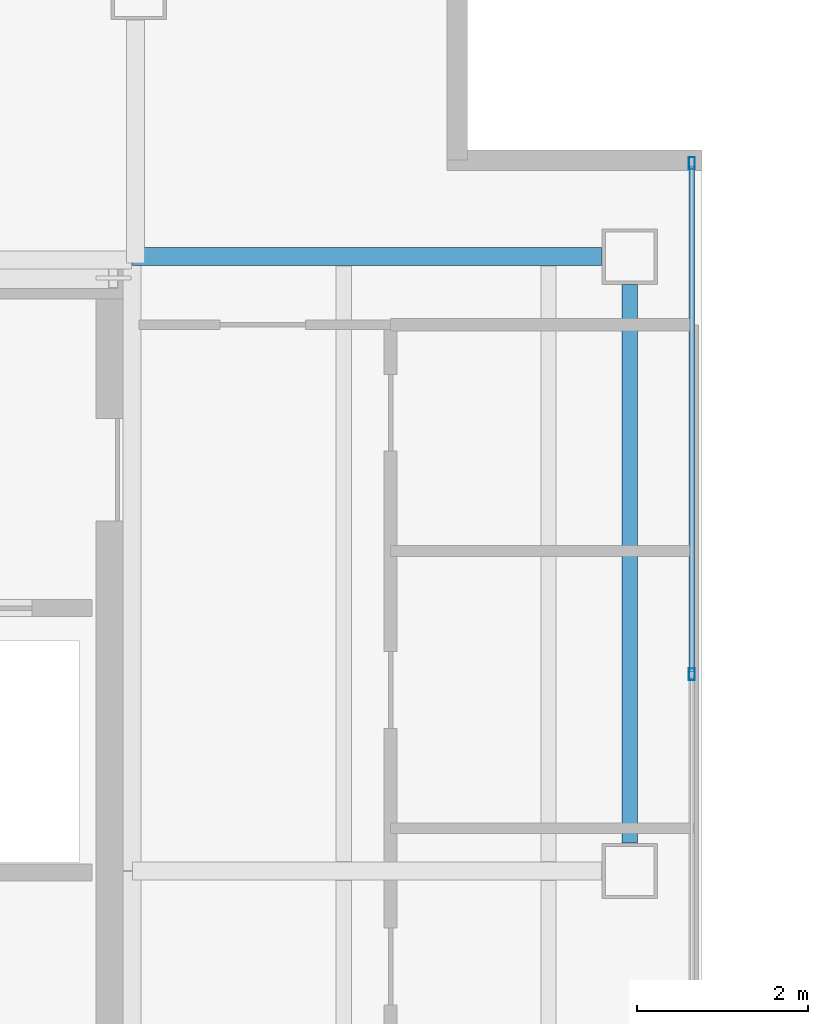
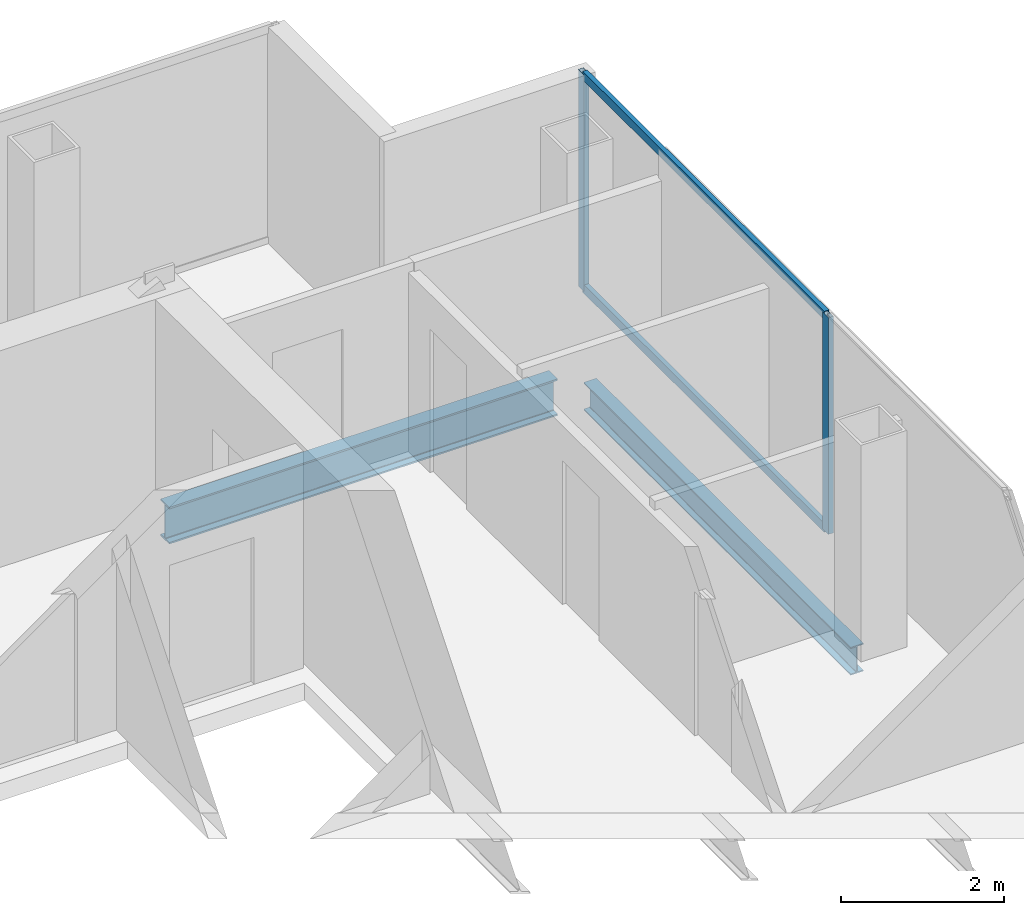
# One storey, part 11 of 24: 4 members, 2 beams, 1 element without a shape of its own.
"""IFC4 building model written with IfcOpenShell, lengths in metres."""

from ifc_helpers import new_model, si_unit, direction, frame, origin, origin_2d, place, context, subcontext, project, spatial, hollow_rectangle, i_section, extrude, material, material_profile, profile_set, type_object, element, aggregate, save


model = new_model("IFC4")

# Units and contexts
model_context = context("Model", 3, precision=1e-05, world=origin(), true_north=direction((0.0, 1.0)))
body_context = subcontext(model_context, "Body", "Model", "MODEL_VIEW")
ifc_project = project(units=[si_unit("LENGTHUNIT", "METRE"), si_unit("AREAUNIT", "SQUARE_METRE"), si_unit("VOLUMEUNIT", "CUBIC_METRE"), si_unit("PLANEANGLEUNIT", "RADIAN"), si_unit("MASSUNIT", "GRAM", prefix="KILO")], contexts=[model_context])

# Site, building, storey
site_placement = place(None, origin())
site = spatial("IfcSite", under=ifc_project, at=site_placement, CompositionType="ELEMENT")
building_placement = place(site_placement, origin())
building = spatial("IfcBuilding", under=site, at=building_placement, Name="Cobrela Telecom Tower", CompositionType="ELEMENT")
storey_placement = place(building_placement, frame((0.0, 0.0, 244.64990234375)))
storey = spatial("IfcBuildingStorey", under=building, at=storey_placement, Name="L63", CompositionType="ELEMENT", Elevation=244.64990234375)

# Beams
ifc_material_1 = material(Name="Steel ASTM A992 Grade 50", Category="steel")
ifc_material_profile_1 = material_profile(ifc_material_1, i_section(OverallWidth=0.212890625, OverallDepth=0.549072265625, WebThickness=0.0146484375, FlangeThickness=0.023681640625, FilletRadius=0.013916015625, at=origin_2d()), Name="W21X93")
ifc_profile_set_1 = profile_set([ifc_material_profile_1], Name="Steel ASTM A992 Grade 50")
beam_type_1 = type_object("IfcBeamType", Name="BM-GIRD-08", PredefinedType="USERDEFINED", material=ifc_profile_set_1)
beam_1_placement = place(storey_placement, frame((14.324951171875, 36.0, -0.534423828125), z_axis=(1.0, 0.0, 0.0), x_axis=(0.0, 1.0, 0.0)))
element("IfcBeam", 1, at=beam_1_placement, inside=storey, type_object=beam_type_1, Name="L63 Primary Girder X18", ObjectType="GIRDER", PredefinedType="USERDEFINED", context=body_context, shape_type="SweptSolid", body=[
    extrude(i_section(OverallWidth=0.212890625, OverallDepth=0.549072265625, WebThickness=0.0146484375, FlangeThickness=0.023681640625, FilletRadius=0.013916015625, at=origin_2d()), origin(), (0.0, 0.0, 1.0), 5.4951171875),
])
ifc_material_profile_2 = material_profile(ifc_material_1, i_section(OverallWidth=0.179931640625, OverallDepth=0.4169921875, WebThickness=0.010986328125, FlangeThickness=0.01806640625, FilletRadius=0.011962890625, at=origin_2d()), Name="W16X57")
ifc_profile_set_2 = profile_set([ifc_material_profile_2], Name="Steel ASTM A992 Grade 50")
beam_type_2 = type_object("IfcBeamType", Name="BM-SPAND-06", PredefinedType="SPANDREL", material=ifc_profile_set_2)
beam_2_placement = place(storey_placement, frame((20.14990234375, 29.1298828125, -0.468505859375), z_axis=(0.0, 1.0, 0.0), x_axis=(-1.0, 0.0, 0.0)))
element("IfcBeam", 2, at=beam_2_placement, inside=storey, type_object=beam_type_2, Name="L63 Perimeter Spandrel Y26", PredefinedType="SPANDREL", context=body_context, shape_type="SweptSolid", body=[
    extrude(i_section(OverallWidth=0.179931640625, OverallDepth=0.4169921875, WebThickness=0.010986328125, FlangeThickness=0.01806640625, FilletRadius=0.011962890625, at=origin_2d()), origin(), (0.0, 0.0, 1.0), 6.5400390625),
])

# Curtain wall, members
ifc_material_2 = material(Name="Anodized Bronze Aluminium 6063-T6", Category="aluminium")
curtain_wall_type = type_object("IfcCurtainWallType", Name="CW-SYS-OFF-HI", PredefinedType="USERDEFINED", material=ifc_material_2)
curtain_wall_placement = place(storey_placement, origin())
curtain_wall = element("IfcCurtainWall", 3, at=curtain_wall_placement, inside=storey, type_object=curtain_wall_type, Name="L63 Unitised Bronze Curtain Wall 08", ObjectType="UNITISED CURTAIN WALL", PredefinedType="USERDEFINED")
ifc_material_profile_3 = material_profile(ifc_material_2, hollow_rectangle(XDim=0.070068359375, YDim=0.139892578125, WallThickness=0.00390625, at=origin_2d()), Name="ALU 70x140x4")
ifc_profile_set_3 = profile_set([ifc_material_profile_3], Name="Anodized Bronze Aluminium 6063-T6")
member_type_1 = type_object("IfcMemberType", Name="CW-SYS-OFF-HI-MUL", PredefinedType="MULLION", material=ifc_profile_set_3)
member_1_placement = place(storey_placement, frame((20.8798828125, 37.094970703125, 0.0), z_axis=(0.0, 0.0, 1.0), x_axis=(1.0, 0.0, 0.0)))
member_1 = element("IfcMember", 4, at=member_1_placement, type_object=member_type_1, Name="CW-OFF-HI mullion 1", PredefinedType="MULLION", context=body_context, shape_type="SweptSolid", body=[
    extrude(hollow_rectangle(XDim=0.070068359375, YDim=0.139892578125, WallThickness=0.00390625, at=origin_2d()), origin(), (0.0, 0.0, 1.0), 3.239990234375),
])
member_2_placement = place(storey_placement, frame((20.8798828125, 31.10498046875, 0.0), z_axis=(0.0, 0.0, 1.0), x_axis=(1.0, 0.0, 0.0)))
member_2 = element("IfcMember", 5, at=member_2_placement, type_object=member_type_1, Name="CW-OFF-HI mullion 2", PredefinedType="MULLION", context=body_context, shape_type="SweptSolid", body=[
    extrude(hollow_rectangle(XDim=0.070068359375, YDim=0.139892578125, WallThickness=0.00390625, at=origin_2d()), origin(), (0.0, 0.0, 1.0), 3.239990234375),
])
ifc_material_profile_4 = material_profile(ifc_material_2, hollow_rectangle(XDim=0.06494140625, YDim=0.1298828125, WallThickness=0.00390625, at=origin_2d()), Name="ALU 65x130x4")
ifc_profile_set_4 = profile_set([ifc_material_profile_4], Name="Anodized Bronze Aluminium 6063-T6")
member_type_2 = type_object("IfcMemberType", Name="CW-SYS-OFF-HI-TRN", PredefinedType="USERDEFINED", material=ifc_profile_set_4)
member_3_placement = place(storey_placement, frame((20.8798828125, 37.06005859375, 0.03271484375), z_axis=(0.0, -1.0, 0.0), x_axis=(1.0, 0.0, 0.0)))
member_3 = element("IfcMember", 6, at=member_3_placement, type_object=member_type_2, Name="CW-OFF-HI transom 1.1", ObjectType="TRANSOM", PredefinedType="USERDEFINED", context=body_context, shape_type="SweptSolid", body=[
    extrude(hollow_rectangle(XDim=0.06494140625, YDim=0.1298828125, WallThickness=0.00390625, at=origin_2d()), origin(), (0.0, 0.0, 1.0), 5.920166015625),
])
member_4_placement = place(storey_placement, frame((20.8798828125, 37.06005859375, 3.20751953125), z_axis=(0.0, -1.0, 0.0), x_axis=(1.0, 0.0, 0.0)))
member_4 = element("IfcMember", 7, at=member_4_placement, type_object=member_type_2, Name="CW-OFF-HI transom 1.2", ObjectType="TRANSOM", PredefinedType="USERDEFINED", context=body_context, shape_type="SweptSolid", body=[
    extrude(hollow_rectangle(XDim=0.06494140625, YDim=0.1298828125, WallThickness=0.00390625, at=origin_2d()), origin(), (0.0, 0.0, 1.0), 5.920166015625),
])
aggregate(curtain_wall, [member_1, member_2, member_3, member_4])

save(model, "model.ifc")
